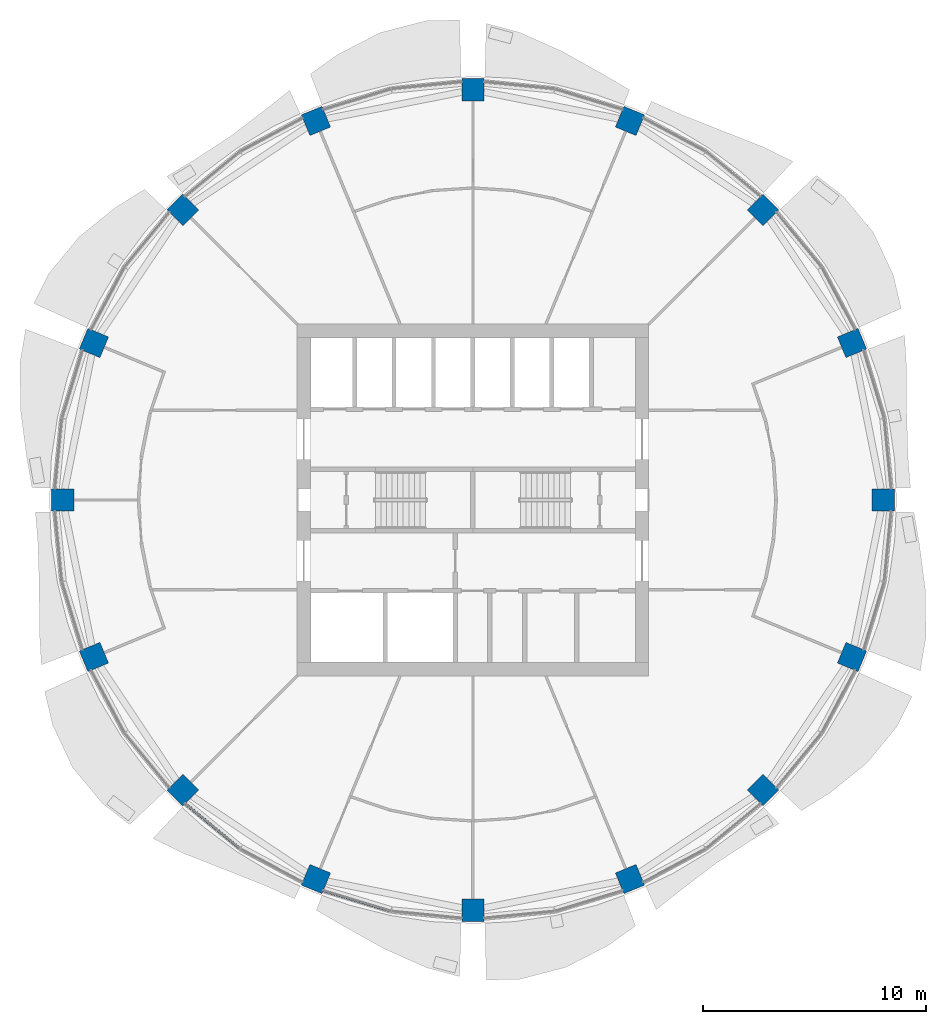
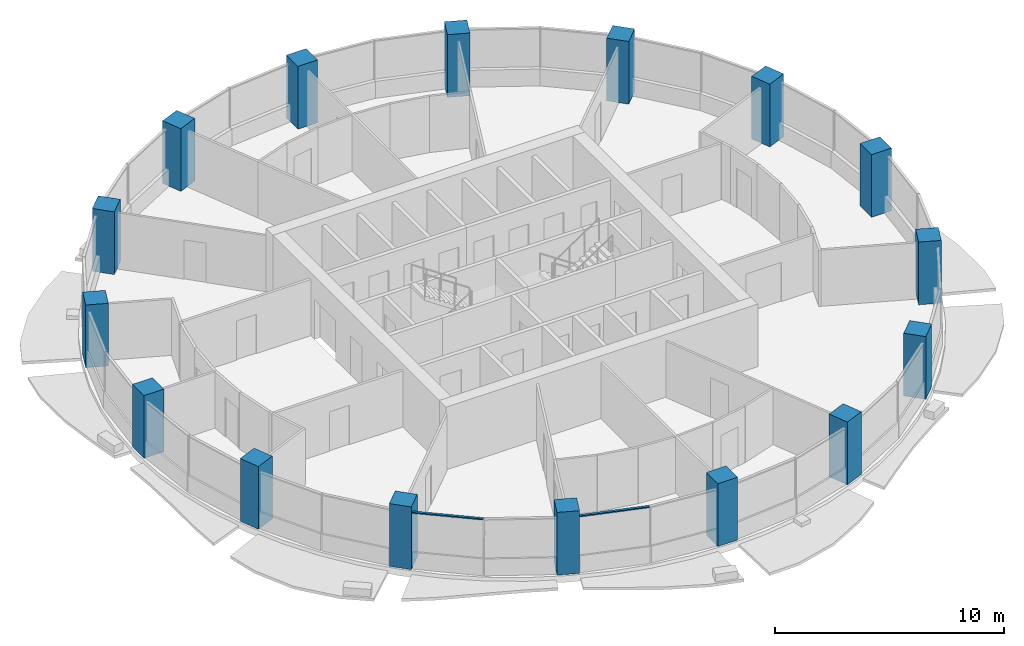
# One storey, part 1 of 15: 16 columns, 2 members, 2 elements without a shape of their own.
"""IFC4 building model written with IfcOpenShell, lengths in metres."""

from ifc_helpers import new_model, si_unit, direction, frame, origin, origin_2d, place, context, subcontext, project, spatial, rectangle, extrude, material, material_profile, profile_set, type_object, element, aggregate, save


model = new_model("IFC4")

# Units and contexts
model_context = context("Model", 3, precision=1e-05, world=origin(), true_north=direction((0.0, 1.0)))
body_context = subcontext(model_context, "Body", "Model", "MODEL_VIEW")
ifc_project = project(units=[si_unit("LENGTHUNIT", "METRE"), si_unit("AREAUNIT", "SQUARE_METRE"), si_unit("VOLUMEUNIT", "CUBIC_METRE"), si_unit("PLANEANGLEUNIT", "RADIAN"), si_unit("MASSUNIT", "GRAM", prefix="KILO")], contexts=[model_context])

# Site, building, storey
site_placement = place(None, origin())
site = spatial("IfcSite", under=ifc_project, at=site_placement, CompositionType="ELEMENT")
building_placement = place(site_placement, origin())
building = spatial("IfcBuilding", under=site, at=building_placement, Name="Polderwave Tower", CompositionType="ELEMENT")
storey_placement = place(building_placement, frame((0.0, 0.0, 137.699951171875)))
storey = spatial("IfcBuildingStorey", under=building, at=storey_placement, Name="L36", CompositionType="ELEMENT", Elevation=137.699951171875)

# Columns
ifc_material_1 = material(Name="Concrete C60/75", Category="concrete")
ifc_material_profile_1 = material_profile(ifc_material_1, rectangle(XDim=1.0, YDim=1.0, at=origin_2d()), Name="RC 1000x1000")
ifc_profile_set_1 = profile_set([ifc_material_profile_1], Name="Concrete C60/75")
column_type = type_object("IfcColumnType", Name="RC COLUMN 1000x1000 C60/75", PredefinedType="COLUMN", material=ifc_profile_set_1)
for number, where, z_axis, x_axis, name in (
    (1, (18.3798828125, 0.0, 0.0), (0.0, 0.0, 1.0), (1.0, 0.0, 0.0), "Ring column 01"),
    (2, (16.98095703125, 7.03369140625, 0.0), (0.0, 0.0, 1.0), (0.923879532511, 0.382683432365, 0.0), "Ring column 02"),
    (3, (12.99658203125, 12.99658203125, 0.0), (0.0, 0.0, 1.0), (0.707106781187, 0.707106781187, 0.0), "Ring column 03"),
    (4, (7.03369140625, 16.98095703125, 0.0), (0.0, 0.0, 1.0), (0.382683432365, 0.923879532511, 0.0), "Ring column 04"),
    (5, (0.0, 18.3798828125, 0.0), (0.0, 0.0, 1.0), (0.0, 1.0, 0.0), "Ring column 05"),
    (6, (-7.03369140625, 16.98095703125, 0.0), (0.0, 0.0, 1.0), (-0.382683432365, 0.923879532511, 0.0), "Ring column 06"),
    (7, (-12.99658203125, 12.99658203125, 0.0), (0.0, 0.0, 1.0), (-0.707106781187, 0.707106781187, 0.0), "Ring column 07"),
    (8, (-16.98095703125, 7.03369140625, 0.0), (0.0, 0.0, 1.0), (-0.923879532511, 0.382683432365, 0.0), "Ring column 08"),
    (9, (-18.3798828125, 0.0, 0.0), (0.0, 0.0, 1.0), (-1.0, 0.0, 0.0), "Ring column 09"),
    (10, (-16.98095703125, -7.03369140625, 0.0), (0.0, 0.0, 1.0), (-0.923879532511, -0.382683432365, 0.0), "Ring column 10"),
    (11, (-12.99658203125, -12.99658203125, 0.0), (0.0, 0.0, 1.0), (-0.707106781187, -0.707106781187, 0.0), "Ring column 11"),
    (12, (-7.03369140625, -16.98095703125, 0.0), (0.0, 0.0, 1.0), (-0.382683432365, -0.923879532511, 0.0), "Ring column 12"),
    (13, (0.0, -18.3798828125, 0.0), (0.0, 0.0, 1.0), (0.0, -1.0, 0.0), "Ring column 13"),
    (14, (7.03369140625, -16.98095703125, 0.0), (0.0, 0.0, 1.0), (0.382683432365, -0.923879532511, 0.0), "Ring column 14"),
    (15, (12.99658203125, -12.99658203125, 0.0), (0.0, 0.0, 1.0), (0.707106781187, -0.707106781187, 0.0), "Ring column 15"),
    (16, (16.98095703125, -7.03369140625, 0.0), (0.0, 0.0, 1.0), (0.923879532511, -0.382683432365, 0.0), "Ring column 16"),
):
    element("IfcColumn", number, at=place(storey_placement, frame(where, z_axis=z_axis, x_axis=x_axis)), inside=storey, type_object=column_type, Name=name, PredefinedType="COLUMN", context=body_context, shape_type="SweptSolid", body=[
        extrude(rectangle(XDim=1.0, YDim=1.0, at=origin_2d()), origin(), (0.0, 0.0, 1.0), 3.35009765625),
    ])

# Curtain wall, member
ifc_material_2 = material(Name="Aluminium 6063-T6 and glass", Category="aluminium")
curtain_wall_type = type_object("IfcCurtainWallType", Name="Office ribbon glazing wall", PredefinedType="NOTDEFINED", material=ifc_material_2)
curtain_wall_1_placement = place(storey_placement, origin())
curtain_wall_1 = element("IfcCurtainWall", 17, at=curtain_wall_1_placement, inside=storey, type_object=curtain_wall_type, Name="CW3 L36 10", PredefinedType="NOTDEFINED")
ifc_material_3 = material(Name="Aluminium 6063-T6", Category="aluminium")
ifc_material_profile_2 = material_profile(ifc_material_3, rectangle(XDim=0.1201171875, YDim=0.06005859375, at=origin_2d()), Name="AL 60x120")
ifc_profile_set_2 = profile_set([ifc_material_profile_2], Name="Aluminium 6063-T6")
member_type = type_object("IfcMemberType", Name="Office ribbon glazing transom 60x120", PredefinedType="USERDEFINED", material=ifc_profile_set_2)
member_1_placement = place(storey_placement, frame((-12.89111328125, -13.597900390625, 2.969970703125), z_axis=(0.772893139863, -0.634536204131, 0.0), x_axis=(0.634536204131, 0.772893139863, 0.0)))
member_1 = element("IfcMember", 18, at=member_1_placement, type_object=member_type, Name="CW3 transom 1", ObjectType="TRANSOM", PredefinedType="USERDEFINED", context=body_context, shape_type="SweptSolid", body=[
    extrude(rectangle(XDim=0.1201171875, YDim=0.06005859375, at=origin_2d()), origin(), (0.0, 0.0, 1.0), 3.151611328125),
])
aggregate(curtain_wall_1, [member_1])

curtain_wall_2_placement = place(storey_placement, origin())
curtain_wall_2 = element("IfcCurtainWall", 19, at=curtain_wall_2_placement, inside=storey, type_object=curtain_wall_type, Name="CW3 L36 11", PredefinedType="NOTDEFINED")
member_2_placement = place(storey_placement, frame((-6.7060546875, -17.49609375, 2.969970703125), z_axis=(0.956945534215, -0.290267539602, 0.0), x_axis=(0.290267539602, 0.956945534215, 0.0)))
member_2 = element("IfcMember", 20, at=member_2_placement, type_object=member_type, Name="CW3 transom 1", ObjectType="TRANSOM", PredefinedType="USERDEFINED", context=body_context, shape_type="SweptSolid", body=[
    extrude(rectangle(XDim=0.1201171875, YDim=0.06005859375, at=origin_2d()), origin(), (0.0, 0.0, 1.0), 3.151611328125),
])
aggregate(curtain_wall_2, [member_2])

save(model, "model.ifc")
